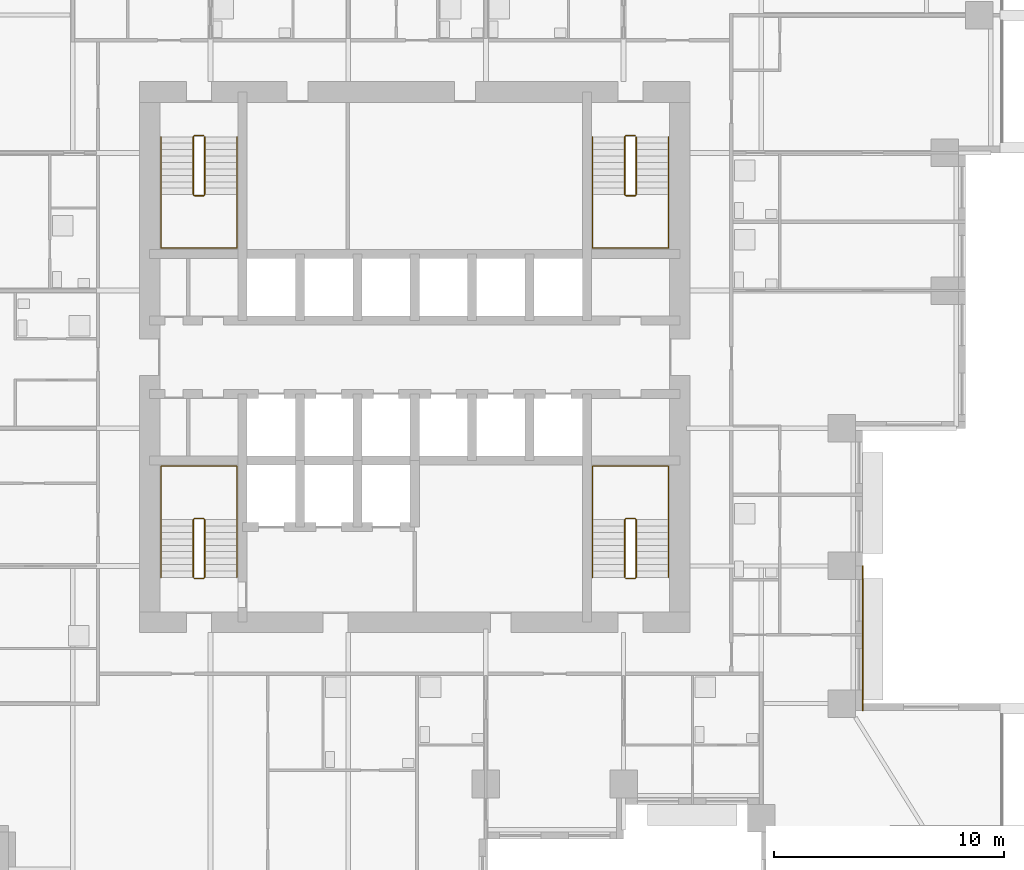
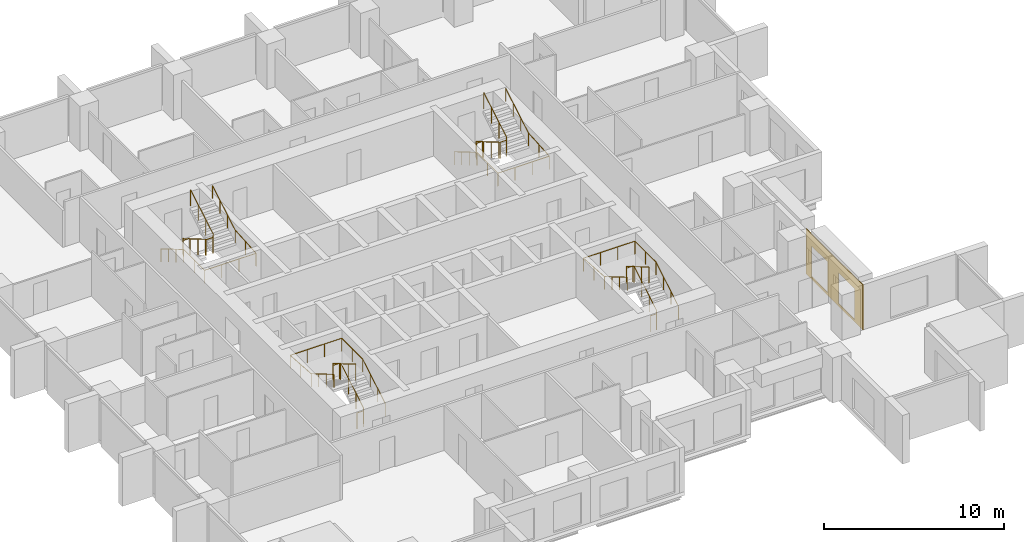
# One storey, part 9 of 10: 8 railings, 1 covering.
"""IFC4 building model written with IfcOpenShell, lengths in metres."""

from ifc_helpers import new_model, si_unit, direction, frame, origin, origin_2d, place, context, subcontext, project, spatial, polyline, circle, outline, extrude, material, layer, layer_set, type_object, element, save


model = new_model("IFC4")

# Units and contexts
model_context = context("Model", 3, precision=1e-05, world=origin(), true_north=direction((0.0, 1.0)))
body_context = subcontext(model_context, "Body", "Model", "MODEL_VIEW")
ifc_project = project(units=[si_unit("LENGTHUNIT", "METRE"), si_unit("AREAUNIT", "SQUARE_METRE"), si_unit("VOLUMEUNIT", "CUBIC_METRE"), si_unit("PLANEANGLEUNIT", "RADIAN"), si_unit("MASSUNIT", "GRAM", prefix="KILO")], contexts=[model_context])

# Site, building, storey
site_placement = place(None, origin())
site = spatial("IfcSite", under=ifc_project, at=site_placement, CompositionType="ELEMENT")
building_placement = place(site_placement, origin())
building = spatial("IfcBuilding", under=site, at=building_placement, Name="Amberfall Residences", CompositionType="ELEMENT")
storey_placement = place(building_placement, frame((0.0, 0.0, 63.10009765625)))
storey = spatial("IfcBuildingStorey", under=building, at=storey_placement, Name="L17", CompositionType="ELEMENT", Elevation=63.10009765625)

# Covering
ifc_material_1 = material(Name="Pale limestone cladding", Category="masonry")
ifc_layer = layer(ifc_material_1, 0.050048828125)
ifc_layer_set = layer_set([ifc_layer], Name="Limestone fascia 50")
covering_type = type_object("IfcCoveringType", Name="Limestone fascia 50", PredefinedType="CLADDING", material=ifc_layer_set)
covering_placement = place(storey_placement, frame((94.0, 30.10009765625, 3.0498046875), z_axis=(-1.0, 0.0, 0.0), x_axis=(0.0, 1.0, 0.0)))
element("IfcCovering", 1, at=covering_placement, inside=storey, type_object=covering_type, Name="Pale limestone cladding L17 E", PredefinedType="CLADDING", context=body_context, shape_type="SweptSolid", body=[
    extrude(outline(polyline([(0.0, 0.0), (6.2998046875, 0.0), (6.2998046875, 3.0498046875), (0.0, 3.0498046875), (0.0, 0.0)]), holes=[polyline([(0.89990234375, 0.7998046875), (2.699951171875, 0.7998046875), (2.699951171875, 2.89990234375), (0.89990234375, 2.89990234375), (0.89990234375, 0.7998046875)]), polyline([(3.89990234375, 0.7998046875), (5.699951171875, 0.7998046875), (5.699951171875, 2.89990234375), (3.89990234375, 2.89990234375), (3.89990234375, 0.7998046875)])]), origin(), (0.0, 0.0, -1.0), 0.050048828125),
])

# Railings
ifc_material_2 = material(Name="Stainless steel 316", Category="steel")
railing_type_1 = type_object("IfcRailingType", Name="Stair guard 1100", PredefinedType="GUARDRAIL", material=ifc_material_2)
railing_1_placement = place(storey_placement, frame((64.89990234375, 35.85009765625, 0.0)))
element("IfcRailing", 2, at=railing_1_placement, inside=storey, type_object=railing_type_1, Name="L17 stair 1 guard", PredefinedType="GUARDRAIL", context=body_context, shape_type="SweptSolid", body=[
    extrude(circle(Radius=0.02392578125, at=origin_2d()), frame((0.0, 0.0, 1.076171875), z_axis=(1.0, 0.0, 0.0), x_axis=(0.0, 1.0, 0.0)), (0.0, 0.0, 1.0), 0.400146484375),
    extrude(circle(Radius=0.02392578125, at=origin_2d()), frame((0.400146484375, 0.0, 1.076171875), z_axis=(0.279159454702, 0.277797701265, 0.919183570361), x_axis=(-0.705375805398, 0.708833529934, 0.0)), (0.0, 0.0, 1.0), 0.17919921875),
    extrude(circle(Radius=0.02392578125, at=origin_2d()), frame((0.4501953125, 0.0498046875, 1.24072265625), z_axis=(0.0, 0.86152411907, 0.507716645641), x_axis=(-1.0, 0.0, 0.0)), (0.0, 0.0, 1.0), 2.925048828125),
    extrude(circle(Radius=0.02392578125, at=origin_2d()), frame((0.4501953125, 2.56982421875, 2.72607421875), z_axis=(-0.707106781187, 0.707106781187, 0.0), x_axis=(-0.707106781187, -0.707106781187, 0.0)), (0.0, 0.0, 1.0), 0.07080078125),
    extrude(circle(Radius=0.02392578125, at=origin_2d()), frame((0.400146484375, 2.619873046875, 2.72607421875), z_axis=(-1.0, 0.0, 0.0), x_axis=(0.0, -1.0, 0.0)), (0.0, 0.0, 1.0), 0.400146484375),
    extrude(circle(Radius=0.02392578125, at=origin_2d()), frame((0.0, 2.619873046875, 2.72607421875), z_axis=(-0.277450376394, -0.278810427259, 0.919394384522), x_axis=(0.708833529934, -0.705375805398, 0.0)), (0.0, 0.0, 1.0), 0.179443359375),
    extrude(circle(Radius=0.02392578125, at=origin_2d()), frame((-0.0498046875, 2.56982421875, 2.89111328125), z_axis=(0.0, -0.861560626758, 0.507654692109), x_axis=(1.0, 0.0, 0.0)), (0.0, 0.0, 1.0), 2.925048828125),
    extrude(circle(Radius=0.02099609375, at=origin_2d()), origin(), (0.0, 0.0, 1.0), 1.052001953125),
    extrude(circle(Radius=0.02099609375, at=origin_2d()), frame((0.400146484375, 0.0, 0.0)), (0.0, 0.0, 1.0), 1.052001953125),
    extrude(circle(Radius=0.02099609375, at=origin_2d()), frame((0.4501953125, 0.0498046875, 0.164794921875)), (0.0, 0.0, 1.0), 1.052001953125),
    extrude(circle(Radius=0.02099609375, at=origin_2d()), frame((0.4501953125, 0.889892578125, 0.659912109375)), (0.0, 0.0, 1.0), 1.052001953125),
    extrude(circle(Radius=0.02099609375, at=origin_2d()), frame((0.4501953125, 1.729736328125, 1.15478515625)), (0.0, 0.0, 1.0), 1.052001953125),
    extrude(circle(Radius=0.02099609375, at=origin_2d()), frame((0.4501953125, 2.56982421875, 1.64990234375)), (0.0, 0.0, 1.0), 1.052001953125),
    extrude(circle(Radius=0.02099609375, at=origin_2d()), frame((0.400146484375, 2.619873046875, 1.64990234375)), (0.0, 0.0, 1.0), 1.052001953125),
    extrude(circle(Radius=0.02099609375, at=origin_2d()), frame((0.0, 2.619873046875, 1.64990234375)), (0.0, 0.0, 1.0), 1.052001953125),
    extrude(circle(Radius=0.02099609375, at=origin_2d()), frame((-0.0498046875, 2.56982421875, 1.81494140625)), (0.0, 0.0, 1.0), 1.052001953125),
    extrude(circle(Radius=0.02099609375, at=origin_2d()), frame((-0.0498046875, 1.729736328125, 2.309814453125)), (0.0, 0.0, 1.0), 1.052001953125),
    extrude(circle(Radius=0.02099609375, at=origin_2d()), frame((-0.0498046875, 0.889892578125, 2.804931640625)), (0.0, 0.0, 1.0), 1.052001953125),
    extrude(circle(Radius=0.02099609375, at=origin_2d()), frame((-0.0498046875, 0.0498046875, 3.2998046875)), (0.0, 0.0, 1.0), 1.052001953125),
])
railing_2_placement = place(storey_placement, frame((83.699951171875, 35.85009765625, 0.0)))
element("IfcRailing", 3, at=railing_2_placement, inside=storey, type_object=railing_type_1, Name="L17 stair 2 guard", PredefinedType="GUARDRAIL", context=body_context, shape_type="SweptSolid", body=[
    extrude(circle(Radius=0.02392578125, at=origin_2d()), frame((0.0, 0.0, 1.076171875), z_axis=(1.0, 0.0, 0.0), x_axis=(0.0, 1.0, 0.0)), (0.0, 0.0, 1.0), 0.400146484375),
    extrude(circle(Radius=0.02392578125, at=origin_2d()), frame((0.400146484375, 0.0, 1.076171875), z_axis=(0.277903107438, 0.277903107438, 0.919532340787), x_axis=(-0.707106781187, 0.707106781187, 0.0)), (0.0, 0.0, 1.0), 0.17919921875),
    extrude(circle(Radius=0.02392578125, at=origin_2d()), frame((0.449951171875, 0.0498046875, 1.24072265625), z_axis=(0.0, 0.86152411907, 0.507716645641), x_axis=(-1.0, 0.0, 0.0)), (0.0, 0.0, 1.0), 2.925048828125),
    extrude(circle(Radius=0.02392578125, at=origin_2d()), frame((0.449951171875, 2.56982421875, 2.72607421875), z_axis=(-0.705375805398, 0.708833529934, 0.0), x_axis=(-0.708833529934, -0.705375805398, 0.0)), (0.0, 0.0, 1.0), 0.070556640625),
    extrude(circle(Radius=0.02392578125, at=origin_2d()), frame((0.400146484375, 2.619873046875, 2.72607421875), z_axis=(-1.0, 0.0, 0.0), x_axis=(0.0, -1.0, 0.0)), (0.0, 0.0, 1.0), 0.400146484375),
    extrude(circle(Radius=0.02392578125, at=origin_2d()), frame((0.0, 2.619873046875, 2.72607421875), z_axis=(-0.278705021027, -0.278705021027, 0.919046801044), x_axis=(0.707106781187, -0.707106781187, 0.0)), (0.0, 0.0, 1.0), 0.1796875),
    extrude(circle(Radius=0.02392578125, at=origin_2d()), frame((-0.050048828125, 2.56982421875, 2.89111328125), z_axis=(0.0, -0.861560626758, 0.507654692109), x_axis=(1.0, 0.0, 0.0)), (0.0, 0.0, 1.0), 2.925048828125),
    extrude(circle(Radius=0.02099609375, at=origin_2d()), origin(), (0.0, 0.0, 1.0), 1.052001953125),
    extrude(circle(Radius=0.02099609375, at=origin_2d()), frame((0.400146484375, 0.0, 0.0)), (0.0, 0.0, 1.0), 1.052001953125),
    extrude(circle(Radius=0.02099609375, at=origin_2d()), frame((0.449951171875, 0.0498046875, 0.164794921875)), (0.0, 0.0, 1.0), 1.052001953125),
    extrude(circle(Radius=0.02099609375, at=origin_2d()), frame((0.449951171875, 0.889892578125, 0.659912109375)), (0.0, 0.0, 1.0), 1.052001953125),
    extrude(circle(Radius=0.02099609375, at=origin_2d()), frame((0.449951171875, 1.729736328125, 1.15478515625)), (0.0, 0.0, 1.0), 1.052001953125),
    extrude(circle(Radius=0.02099609375, at=origin_2d()), frame((0.449951171875, 2.56982421875, 1.64990234375)), (0.0, 0.0, 1.0), 1.052001953125),
    extrude(circle(Radius=0.02099609375, at=origin_2d()), frame((0.400146484375, 2.619873046875, 1.64990234375)), (0.0, 0.0, 1.0), 1.052001953125),
    extrude(circle(Radius=0.02099609375, at=origin_2d()), frame((0.0, 2.619873046875, 1.64990234375)), (0.0, 0.0, 1.0), 1.052001953125),
    extrude(circle(Radius=0.02099609375, at=origin_2d()), frame((-0.050048828125, 2.56982421875, 1.81494140625)), (0.0, 0.0, 1.0), 1.052001953125),
    extrude(circle(Radius=0.02099609375, at=origin_2d()), frame((-0.050048828125, 1.729736328125, 2.309814453125)), (0.0, 0.0, 1.0), 1.052001953125),
    extrude(circle(Radius=0.02099609375, at=origin_2d()), frame((-0.050048828125, 0.889892578125, 2.804931640625)), (0.0, 0.0, 1.0), 1.052001953125),
    extrude(circle(Radius=0.02099609375, at=origin_2d()), frame((-0.050048828125, 0.0498046875, 3.2998046875)), (0.0, 0.0, 1.0), 1.052001953125),
])
railing_3_placement = place(storey_placement, frame((84.10009765625, 55.14990234375, 0.0)))
element("IfcRailing", 4, at=railing_3_placement, inside=storey, type_object=railing_type_1, Name="L17 stair 3 guard", PredefinedType="GUARDRAIL", context=body_context, shape_type="SweptSolid", body=[
    extrude(circle(Radius=0.02392578125, at=origin_2d()), frame((0.0, 0.0, 1.076171875), z_axis=(-1.0, 0.0, 0.0), x_axis=(0.0, -1.0, 0.0)), (0.0, 0.0, 1.0), 0.400146484375),
    extrude(circle(Radius=0.02392578125, at=origin_2d()), frame((-0.400146484375, 0.0, 1.076171875), z_axis=(-0.279159454702, -0.277797701265, 0.919183570361), x_axis=(0.705375805398, -0.708833529934, 0.0)), (0.0, 0.0, 1.0), 0.17919921875),
    extrude(circle(Radius=0.02392578125, at=origin_2d()), frame((-0.4501953125, -0.0498046875, 1.24072265625), z_axis=(0.0, -0.86152411907, 0.507716645641), x_axis=(1.0, 0.0, 0.0)), (0.0, 0.0, 1.0), 2.925048828125),
    extrude(circle(Radius=0.02392578125, at=origin_2d()), frame((-0.4501953125, -2.56982421875, 2.72607421875), z_axis=(0.707106781187, -0.707106781187, 0.0), x_axis=(0.707106781187, 0.707106781187, 0.0)), (0.0, 0.0, 1.0), 0.07080078125),
    extrude(circle(Radius=0.02392578125, at=origin_2d()), frame((-0.400146484375, -2.619873046875, 2.72607421875), z_axis=(1.0, 0.0, 0.0), x_axis=(0.0, 1.0, 0.0)), (0.0, 0.0, 1.0), 0.400146484375),
    extrude(circle(Radius=0.02392578125, at=origin_2d()), frame((0.0, -2.619873046875, 2.72607421875), z_axis=(0.277450376394, 0.278810427259, 0.919394384522), x_axis=(-0.708833529934, 0.705375805398, 0.0)), (0.0, 0.0, 1.0), 0.179443359375),
    extrude(circle(Radius=0.02392578125, at=origin_2d()), frame((0.0498046875, -2.56982421875, 2.89111328125), z_axis=(0.0, 0.861560626758, 0.507654692109), x_axis=(-1.0, 0.0, 0.0)), (0.0, 0.0, 1.0), 2.925048828125),
    extrude(circle(Radius=0.02099609375, at=origin_2d()), origin(), (0.0, 0.0, 1.0), 1.052001953125),
    extrude(circle(Radius=0.02099609375, at=origin_2d()), frame((-0.400146484375, 0.0, 0.0)), (0.0, 0.0, 1.0), 1.052001953125),
    extrude(circle(Radius=0.02099609375, at=origin_2d()), frame((-0.4501953125, -0.0498046875, 0.164794921875)), (0.0, 0.0, 1.0), 1.052001953125),
    extrude(circle(Radius=0.02099609375, at=origin_2d()), frame((-0.4501953125, -0.889892578125, 0.659912109375)), (0.0, 0.0, 1.0), 1.052001953125),
    extrude(circle(Radius=0.02099609375, at=origin_2d()), frame((-0.4501953125, -1.729736328125, 1.15478515625)), (0.0, 0.0, 1.0), 1.052001953125),
    extrude(circle(Radius=0.02099609375, at=origin_2d()), frame((-0.4501953125, -2.56982421875, 1.64990234375)), (0.0, 0.0, 1.0), 1.052001953125),
    extrude(circle(Radius=0.02099609375, at=origin_2d()), frame((-0.400146484375, -2.619873046875, 1.64990234375)), (0.0, 0.0, 1.0), 1.052001953125),
    extrude(circle(Radius=0.02099609375, at=origin_2d()), frame((0.0, -2.619873046875, 1.64990234375)), (0.0, 0.0, 1.0), 1.052001953125),
    extrude(circle(Radius=0.02099609375, at=origin_2d()), frame((0.0498046875, -2.56982421875, 1.81494140625)), (0.0, 0.0, 1.0), 1.052001953125),
    extrude(circle(Radius=0.02099609375, at=origin_2d()), frame((0.0498046875, -1.729736328125, 2.309814453125)), (0.0, 0.0, 1.0), 1.052001953125),
    extrude(circle(Radius=0.02099609375, at=origin_2d()), frame((0.0498046875, -0.889892578125, 2.804931640625)), (0.0, 0.0, 1.0), 1.052001953125),
    extrude(circle(Radius=0.02099609375, at=origin_2d()), frame((0.0498046875, -0.0498046875, 3.2998046875)), (0.0, 0.0, 1.0), 1.052001953125),
])
railing_4_placement = place(storey_placement, frame((65.300048828125, 55.14990234375, 0.0)))
element("IfcRailing", 5, at=railing_4_placement, inside=storey, type_object=railing_type_1, Name="L17 stair 4 guard", PredefinedType="GUARDRAIL", context=body_context, shape_type="SweptSolid", body=[
    extrude(circle(Radius=0.02392578125, at=origin_2d()), frame((0.0, 0.0, 1.076171875), z_axis=(-1.0, 0.0, 0.0), x_axis=(0.0, -1.0, 0.0)), (0.0, 0.0, 1.0), 0.400146484375),
    extrude(circle(Radius=0.02392578125, at=origin_2d()), frame((-0.400146484375, 0.0, 1.076171875), z_axis=(-0.277903107438, -0.277903107438, 0.919532340787), x_axis=(0.707106781187, -0.707106781187, 0.0)), (0.0, 0.0, 1.0), 0.17919921875),
    extrude(circle(Radius=0.02392578125, at=origin_2d()), frame((-0.449951171875, -0.0498046875, 1.24072265625), z_axis=(0.0, -0.86152411907, 0.507716645641), x_axis=(1.0, 0.0, 0.0)), (0.0, 0.0, 1.0), 2.925048828125),
    extrude(circle(Radius=0.02392578125, at=origin_2d()), frame((-0.449951171875, -2.56982421875, 2.72607421875), z_axis=(0.705375805398, -0.708833529934, 0.0), x_axis=(0.708833529934, 0.705375805398, 0.0)), (0.0, 0.0, 1.0), 0.070556640625),
    extrude(circle(Radius=0.02392578125, at=origin_2d()), frame((-0.400146484375, -2.619873046875, 2.72607421875), z_axis=(1.0, 0.0, 0.0), x_axis=(0.0, 1.0, 0.0)), (0.0, 0.0, 1.0), 0.400146484375),
    extrude(circle(Radius=0.02392578125, at=origin_2d()), frame((0.0, -2.619873046875, 2.72607421875), z_axis=(0.278705021027, 0.278705021027, 0.919046801044), x_axis=(-0.707106781187, 0.707106781187, 0.0)), (0.0, 0.0, 1.0), 0.1796875),
    extrude(circle(Radius=0.02392578125, at=origin_2d()), frame((0.050048828125, -2.56982421875, 2.89111328125), z_axis=(0.0, 0.861560626758, 0.507654692109), x_axis=(-1.0, 0.0, 0.0)), (0.0, 0.0, 1.0), 2.925048828125),
    extrude(circle(Radius=0.02099609375, at=origin_2d()), origin(), (0.0, 0.0, 1.0), 1.052001953125),
    extrude(circle(Radius=0.02099609375, at=origin_2d()), frame((-0.400146484375, 0.0, 0.0)), (0.0, 0.0, 1.0), 1.052001953125),
    extrude(circle(Radius=0.02099609375, at=origin_2d()), frame((-0.449951171875, -0.0498046875, 0.164794921875)), (0.0, 0.0, 1.0), 1.052001953125),
    extrude(circle(Radius=0.02099609375, at=origin_2d()), frame((-0.449951171875, -0.889892578125, 0.659912109375)), (0.0, 0.0, 1.0), 1.052001953125),
    extrude(circle(Radius=0.02099609375, at=origin_2d()), frame((-0.449951171875, -1.729736328125, 1.15478515625)), (0.0, 0.0, 1.0), 1.052001953125),
    extrude(circle(Radius=0.02099609375, at=origin_2d()), frame((-0.449951171875, -2.56982421875, 1.64990234375)), (0.0, 0.0, 1.0), 1.052001953125),
    extrude(circle(Radius=0.02099609375, at=origin_2d()), frame((-0.400146484375, -2.619873046875, 1.64990234375)), (0.0, 0.0, 1.0), 1.052001953125),
    extrude(circle(Radius=0.02099609375, at=origin_2d()), frame((0.0, -2.619873046875, 1.64990234375)), (0.0, 0.0, 1.0), 1.052001953125),
    extrude(circle(Radius=0.02099609375, at=origin_2d()), frame((0.050048828125, -2.56982421875, 1.81494140625)), (0.0, 0.0, 1.0), 1.052001953125),
    extrude(circle(Radius=0.02099609375, at=origin_2d()), frame((0.050048828125, -1.729736328125, 2.309814453125)), (0.0, 0.0, 1.0), 1.052001953125),
    extrude(circle(Radius=0.02099609375, at=origin_2d()), frame((0.050048828125, -0.889892578125, 2.804931640625)), (0.0, 0.0, 1.0), 1.052001953125),
    extrude(circle(Radius=0.02099609375, at=origin_2d()), frame((0.050048828125, -0.0498046875, 3.2998046875)), (0.0, 0.0, 1.0), 1.052001953125),
])
railing_type_2 = type_object("IfcRailingType", Name="Stair handrail 900", PredefinedType="HANDRAIL", material=ifc_material_2)
railing_5_placement = place(storey_placement, frame((66.75, 35.89990234375, 0.164794921875)))
element("IfcRailing", 6, at=railing_5_placement, inside=storey, type_object=railing_type_2, Name="L17 stair 1 handrail", PredefinedType="HANDRAIL", context=body_context, shape_type="SweptSolid", body=[
    extrude(circle(Radius=0.02392578125, at=origin_2d()), frame((0.0, 0.0, 0.8759765625), z_axis=(0.0, 0.86152411907, 0.507716645641), x_axis=(-1.0, 0.0, 0.0)), (0.0, 0.0, 1.0), 2.925048828125),
    extrude(circle(Radius=0.02392578125, at=origin_2d()), frame((0.0, 2.52001953125, 2.36083984375), z_axis=(0.0, 1.0, 0.0), x_axis=(-1.0, 0.0, 0.0)), (0.0, 0.0, 1.0), 2.330078125),
    extrude(circle(Radius=0.02392578125, at=origin_2d()), frame((0.0, 4.85009765625, 2.36083984375), z_axis=(-1.0, 0.0, 0.0), x_axis=(0.0, -1.0, 0.0)), (0.0, 0.0, 1.0), 3.300048828125),
    extrude(circle(Radius=0.02392578125, at=origin_2d()), frame((-3.300048828125, 4.85009765625, 2.36083984375), z_axis=(0.0, -0.997500965899, 0.07065283455), x_axis=(1.0, 0.0, 0.0)), (0.0, 0.0, 1.0), 2.3359375),
    extrude(circle(Radius=0.02392578125, at=origin_2d()), frame((-3.300048828125, 2.52001953125, 2.52587890625), z_axis=(0.0, -0.861560626758, 0.507654692109), x_axis=(1.0, 0.0, 0.0)), (0.0, 0.0, 1.0), 2.925048828125),
    extrude(circle(Radius=0.02099609375, at=origin_2d()), origin(), (0.0, 0.0, 1.0), 0.851806640625),
    extrude(circle(Radius=0.02099609375, at=origin_2d()), frame((0.0, 0.840087890625, 0.4951171875)), (0.0, 0.0, 1.0), 0.851806640625),
    extrude(circle(Radius=0.02099609375, at=origin_2d()), frame((0.0, 1.679931640625, 0.989990234375)), (0.0, 0.0, 1.0), 0.851806640625),
    extrude(circle(Radius=0.02099609375, at=origin_2d()), frame((0.0, 2.52001953125, 1.485107421875)), (0.0, 0.0, 1.0), 0.851806640625),
    extrude(circle(Radius=0.02099609375, at=origin_2d()), frame((0.0, 3.68505859375, 1.485107421875)), (0.0, 0.0, 1.0), 0.851806640625),
    extrude(circle(Radius=0.02099609375, at=origin_2d()), frame((0.0, 4.85009765625, 1.485107421875)), (0.0, 0.0, 1.0), 0.851806640625),
    extrude(circle(Radius=0.02099609375, at=origin_2d()), frame((-1.10009765625, 4.85009765625, 1.485107421875)), (0.0, 0.0, 1.0), 0.851806640625),
    extrude(circle(Radius=0.02099609375, at=origin_2d()), frame((-2.199951171875, 4.85009765625, 1.485107421875)), (0.0, 0.0, 1.0), 0.851806640625),
    extrude(circle(Radius=0.02099609375, at=origin_2d()), frame((-3.300048828125, 4.85009765625, 1.485107421875)), (0.0, 0.0, 1.0), 0.851806640625),
    extrude(circle(Radius=0.02099609375, at=origin_2d()), frame((-3.300048828125, 3.68505859375, 1.567626953125)), (0.0, 0.0, 1.0), 0.851806640625),
    extrude(circle(Radius=0.02099609375, at=origin_2d()), frame((-3.300048828125, 2.52001953125, 1.650146484375)), (0.0, 0.0, 1.0), 0.851806640625),
    extrude(circle(Radius=0.02099609375, at=origin_2d()), frame((-3.300048828125, 1.679931640625, 2.14501953125)), (0.0, 0.0, 1.0), 0.851806640625),
    extrude(circle(Radius=0.02099609375, at=origin_2d()), frame((-3.300048828125, 0.840087890625, 2.64013671875)), (0.0, 0.0, 1.0), 0.851806640625),
    extrude(circle(Radius=0.02099609375, at=origin_2d()), frame((-3.300048828125, 0.0, 3.135009765625)), (0.0, 0.0, 1.0), 0.851806640625),
])
railing_6_placement = place(storey_placement, frame((85.550048828125, 35.89990234375, 0.164794921875)))
element("IfcRailing", 7, at=railing_6_placement, inside=storey, type_object=railing_type_2, Name="L17 stair 2 handrail", PredefinedType="HANDRAIL", context=body_context, shape_type="SweptSolid", body=[
    extrude(circle(Radius=0.02392578125, at=origin_2d()), frame((0.0, 0.0, 0.8759765625), z_axis=(0.0, 0.86152411907, 0.507716645641), x_axis=(-1.0, 0.0, 0.0)), (0.0, 0.0, 1.0), 2.925048828125),
    extrude(circle(Radius=0.02392578125, at=origin_2d()), frame((0.0, 2.52001953125, 2.36083984375), z_axis=(0.0, 1.0, 0.0), x_axis=(-1.0, 0.0, 0.0)), (0.0, 0.0, 1.0), 2.330078125),
    extrude(circle(Radius=0.02392578125, at=origin_2d()), frame((0.0, 4.85009765625, 2.36083984375), z_axis=(-1.0, 0.0, 0.0), x_axis=(0.0, -1.0, 0.0)), (0.0, 0.0, 1.0), 3.300048828125),
    extrude(circle(Radius=0.02392578125, at=origin_2d()), frame((-3.300048828125, 4.85009765625, 2.36083984375), z_axis=(0.0, -0.997500965899, 0.07065283455), x_axis=(1.0, 0.0, 0.0)), (0.0, 0.0, 1.0), 2.3359375),
    extrude(circle(Radius=0.02392578125, at=origin_2d()), frame((-3.300048828125, 2.52001953125, 2.52587890625), z_axis=(0.0, -0.861560626758, 0.507654692109), x_axis=(1.0, 0.0, 0.0)), (0.0, 0.0, 1.0), 2.925048828125),
    extrude(circle(Radius=0.02099609375, at=origin_2d()), origin(), (0.0, 0.0, 1.0), 0.851806640625),
    extrude(circle(Radius=0.02099609375, at=origin_2d()), frame((0.0, 0.840087890625, 0.4951171875)), (0.0, 0.0, 1.0), 0.851806640625),
    extrude(circle(Radius=0.02099609375, at=origin_2d()), frame((0.0, 1.679931640625, 0.989990234375)), (0.0, 0.0, 1.0), 0.851806640625),
    extrude(circle(Radius=0.02099609375, at=origin_2d()), frame((0.0, 2.52001953125, 1.485107421875)), (0.0, 0.0, 1.0), 0.851806640625),
    extrude(circle(Radius=0.02099609375, at=origin_2d()), frame((0.0, 3.68505859375, 1.485107421875)), (0.0, 0.0, 1.0), 0.851806640625),
    extrude(circle(Radius=0.02099609375, at=origin_2d()), frame((0.0, 4.85009765625, 1.485107421875)), (0.0, 0.0, 1.0), 0.851806640625),
    extrude(circle(Radius=0.02099609375, at=origin_2d()), frame((-1.10009765625, 4.85009765625, 1.485107421875)), (0.0, 0.0, 1.0), 0.851806640625),
    extrude(circle(Radius=0.02099609375, at=origin_2d()), frame((-2.199951171875, 4.85009765625, 1.485107421875)), (0.0, 0.0, 1.0), 0.851806640625),
    extrude(circle(Radius=0.02099609375, at=origin_2d()), frame((-3.300048828125, 4.85009765625, 1.485107421875)), (0.0, 0.0, 1.0), 0.851806640625),
    extrude(circle(Radius=0.02099609375, at=origin_2d()), frame((-3.300048828125, 3.68505859375, 1.567626953125)), (0.0, 0.0, 1.0), 0.851806640625),
    extrude(circle(Radius=0.02099609375, at=origin_2d()), frame((-3.300048828125, 2.52001953125, 1.650146484375)), (0.0, 0.0, 1.0), 0.851806640625),
    extrude(circle(Radius=0.02099609375, at=origin_2d()), frame((-3.300048828125, 1.679931640625, 2.14501953125)), (0.0, 0.0, 1.0), 0.851806640625),
    extrude(circle(Radius=0.02099609375, at=origin_2d()), frame((-3.300048828125, 0.840087890625, 2.64013671875)), (0.0, 0.0, 1.0), 0.851806640625),
    extrude(circle(Radius=0.02099609375, at=origin_2d()), frame((-3.300048828125, 0.0, 3.135009765625)), (0.0, 0.0, 1.0), 0.851806640625),
])
railing_7_placement = place(storey_placement, frame((82.25, 55.10009765625, 0.164794921875)))
element("IfcRailing", 8, at=railing_7_placement, inside=storey, type_object=railing_type_2, Name="L17 stair 3 handrail", PredefinedType="HANDRAIL", context=body_context, shape_type="SweptSolid", body=[
    extrude(circle(Radius=0.02392578125, at=origin_2d()), frame((0.0, 0.0, 0.8759765625), z_axis=(0.0, -0.86152411907, 0.507716645641), x_axis=(1.0, 0.0, 0.0)), (0.0, 0.0, 1.0), 2.925048828125),
    extrude(circle(Radius=0.02392578125, at=origin_2d()), frame((0.0, -2.52001953125, 2.36083984375), z_axis=(0.0, -1.0, 0.0), x_axis=(1.0, 0.0, 0.0)), (0.0, 0.0, 1.0), 2.330078125),
    extrude(circle(Radius=0.02392578125, at=origin_2d()), frame((0.0, -4.85009765625, 2.36083984375), z_axis=(1.0, 0.0, 0.0), x_axis=(0.0, 1.0, 0.0)), (0.0, 0.0, 1.0), 3.300048828125),
    extrude(circle(Radius=0.02392578125, at=origin_2d()), frame((3.300048828125, -4.85009765625, 2.36083984375), z_axis=(0.0, 0.997500965899, 0.07065283455), x_axis=(-1.0, 0.0, 0.0)), (0.0, 0.0, 1.0), 2.3359375),
    extrude(circle(Radius=0.02392578125, at=origin_2d()), frame((3.300048828125, -2.52001953125, 2.52587890625), z_axis=(0.0, 0.861560626758, 0.507654692109), x_axis=(-1.0, 0.0, 0.0)), (0.0, 0.0, 1.0), 2.925048828125),
    extrude(circle(Radius=0.02099609375, at=origin_2d()), origin(), (0.0, 0.0, 1.0), 0.851806640625),
    extrude(circle(Radius=0.02099609375, at=origin_2d()), frame((0.0, -0.840087890625, 0.4951171875)), (0.0, 0.0, 1.0), 0.851806640625),
    extrude(circle(Radius=0.02099609375, at=origin_2d()), frame((0.0, -1.679931640625, 0.989990234375)), (0.0, 0.0, 1.0), 0.851806640625),
    extrude(circle(Radius=0.02099609375, at=origin_2d()), frame((0.0, -2.52001953125, 1.485107421875)), (0.0, 0.0, 1.0), 0.851806640625),
    extrude(circle(Radius=0.02099609375, at=origin_2d()), frame((0.0, -3.68505859375, 1.485107421875)), (0.0, 0.0, 1.0), 0.851806640625),
    extrude(circle(Radius=0.02099609375, at=origin_2d()), frame((0.0, -4.85009765625, 1.485107421875)), (0.0, 0.0, 1.0), 0.851806640625),
    extrude(circle(Radius=0.02099609375, at=origin_2d()), frame((1.10009765625, -4.85009765625, 1.485107421875)), (0.0, 0.0, 1.0), 0.851806640625),
    extrude(circle(Radius=0.02099609375, at=origin_2d()), frame((2.199951171875, -4.85009765625, 1.485107421875)), (0.0, 0.0, 1.0), 0.851806640625),
    extrude(circle(Radius=0.02099609375, at=origin_2d()), frame((3.300048828125, -4.85009765625, 1.485107421875)), (0.0, 0.0, 1.0), 0.851806640625),
    extrude(circle(Radius=0.02099609375, at=origin_2d()), frame((3.300048828125, -3.68505859375, 1.567626953125)), (0.0, 0.0, 1.0), 0.851806640625),
    extrude(circle(Radius=0.02099609375, at=origin_2d()), frame((3.300048828125, -2.52001953125, 1.650146484375)), (0.0, 0.0, 1.0), 0.851806640625),
    extrude(circle(Radius=0.02099609375, at=origin_2d()), frame((3.300048828125, -1.679931640625, 2.14501953125)), (0.0, 0.0, 1.0), 0.851806640625),
    extrude(circle(Radius=0.02099609375, at=origin_2d()), frame((3.300048828125, -0.840087890625, 2.64013671875)), (0.0, 0.0, 1.0), 0.851806640625),
    extrude(circle(Radius=0.02099609375, at=origin_2d()), frame((3.300048828125, 0.0, 3.135009765625)), (0.0, 0.0, 1.0), 0.851806640625),
])
railing_8_placement = place(storey_placement, frame((63.449951171875, 55.10009765625, 0.164794921875)))
element("IfcRailing", 9, at=railing_8_placement, inside=storey, type_object=railing_type_2, Name="L17 stair 4 handrail", PredefinedType="HANDRAIL", context=body_context, shape_type="SweptSolid", body=[
    extrude(circle(Radius=0.02392578125, at=origin_2d()), frame((0.0, 0.0, 0.8759765625), z_axis=(0.0, -0.86152411907, 0.507716645641), x_axis=(1.0, 0.0, 0.0)), (0.0, 0.0, 1.0), 2.925048828125),
    extrude(circle(Radius=0.02392578125, at=origin_2d()), frame((0.0, -2.52001953125, 2.36083984375), z_axis=(0.0, -1.0, 0.0), x_axis=(1.0, 0.0, 0.0)), (0.0, 0.0, 1.0), 2.330078125),
    extrude(circle(Radius=0.02392578125, at=origin_2d()), frame((0.0, -4.85009765625, 2.36083984375), z_axis=(1.0, 0.0, 0.0), x_axis=(0.0, 1.0, 0.0)), (0.0, 0.0, 1.0), 3.300048828125),
    extrude(circle(Radius=0.02392578125, at=origin_2d()), frame((3.300048828125, -4.85009765625, 2.36083984375), z_axis=(0.0, 0.997500965899, 0.07065283455), x_axis=(-1.0, 0.0, 0.0)), (0.0, 0.0, 1.0), 2.3359375),
    extrude(circle(Radius=0.02392578125, at=origin_2d()), frame((3.300048828125, -2.52001953125, 2.52587890625), z_axis=(0.0, 0.861560626758, 0.507654692109), x_axis=(-1.0, 0.0, 0.0)), (0.0, 0.0, 1.0), 2.925048828125),
    extrude(circle(Radius=0.02099609375, at=origin_2d()), origin(), (0.0, 0.0, 1.0), 0.851806640625),
    extrude(circle(Radius=0.02099609375, at=origin_2d()), frame((0.0, -0.840087890625, 0.4951171875)), (0.0, 0.0, 1.0), 0.851806640625),
    extrude(circle(Radius=0.02099609375, at=origin_2d()), frame((0.0, -1.679931640625, 0.989990234375)), (0.0, 0.0, 1.0), 0.851806640625),
    extrude(circle(Radius=0.02099609375, at=origin_2d()), frame((0.0, -2.52001953125, 1.485107421875)), (0.0, 0.0, 1.0), 0.851806640625),
    extrude(circle(Radius=0.02099609375, at=origin_2d()), frame((0.0, -3.68505859375, 1.485107421875)), (0.0, 0.0, 1.0), 0.851806640625),
    extrude(circle(Radius=0.02099609375, at=origin_2d()), frame((0.0, -4.85009765625, 1.485107421875)), (0.0, 0.0, 1.0), 0.851806640625),
    extrude(circle(Radius=0.02099609375, at=origin_2d()), frame((1.10009765625, -4.85009765625, 1.485107421875)), (0.0, 0.0, 1.0), 0.851806640625),
    extrude(circle(Radius=0.02099609375, at=origin_2d()), frame((2.199951171875, -4.85009765625, 1.485107421875)), (0.0, 0.0, 1.0), 0.851806640625),
    extrude(circle(Radius=0.02099609375, at=origin_2d()), frame((3.300048828125, -4.85009765625, 1.485107421875)), (0.0, 0.0, 1.0), 0.851806640625),
    extrude(circle(Radius=0.02099609375, at=origin_2d()), frame((3.300048828125, -3.68505859375, 1.567626953125)), (0.0, 0.0, 1.0), 0.851806640625),
    extrude(circle(Radius=0.02099609375, at=origin_2d()), frame((3.300048828125, -2.52001953125, 1.650146484375)), (0.0, 0.0, 1.0), 0.851806640625),
    extrude(circle(Radius=0.02099609375, at=origin_2d()), frame((3.300048828125, -1.679931640625, 2.14501953125)), (0.0, 0.0, 1.0), 0.851806640625),
    extrude(circle(Radius=0.02099609375, at=origin_2d()), frame((3.300048828125, -0.840087890625, 2.64013671875)), (0.0, 0.0, 1.0), 0.851806640625),
    extrude(circle(Radius=0.02099609375, at=origin_2d()), frame((3.300048828125, 0.0, 3.135009765625)), (0.0, 0.0, 1.0), 0.851806640625),
])

save(model, "model.ifc")
